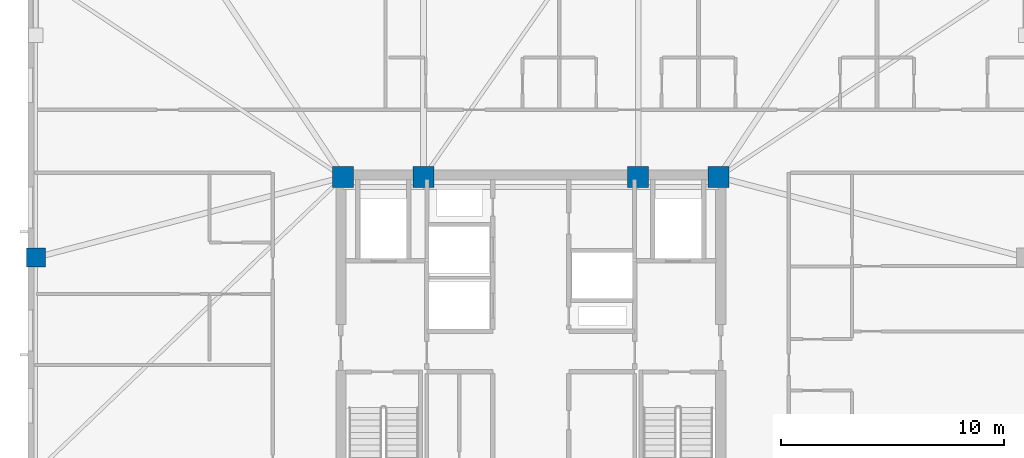
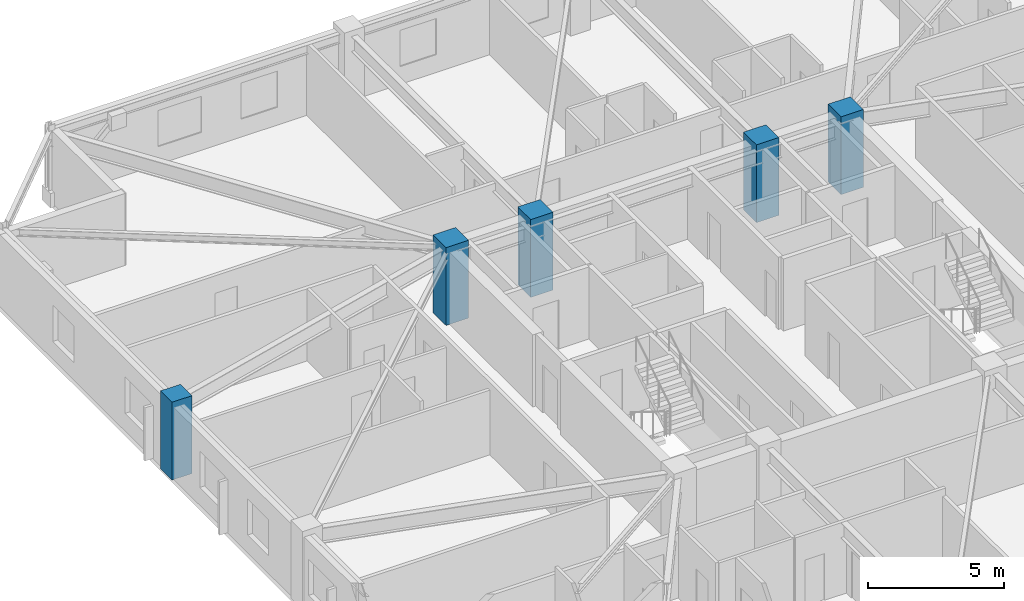
# One storey, part 2 of 17: 5 columns.
"""IFC4 building model written with IfcOpenShell, lengths in metres."""

from ifc_helpers import new_model, si_unit, direction, frame, origin, origin_2d, place, context, subcontext, project, spatial, rectangle, extrude, material, material_profile, profile_set, type_object, element, save


model = new_model("IFC4")

# Units and contexts
model_context = context("Model", 3, precision=1e-05, world=origin(), true_north=direction((0.0, 1.0)))
body_context = subcontext(model_context, "Body", "Model", "MODEL_VIEW")
ifc_project = project(units=[si_unit("LENGTHUNIT", "METRE"), si_unit("AREAUNIT", "SQUARE_METRE"), si_unit("VOLUMEUNIT", "CUBIC_METRE"), si_unit("PLANEANGLEUNIT", "RADIAN"), si_unit("MASSUNIT", "GRAM", prefix="KILO")], contexts=[model_context])

# Site, building, storey
site_placement = place(None, origin())
site = spatial("IfcSite", under=ifc_project, at=site_placement, CompositionType="ELEMENT")
building_placement = place(site_placement, origin())
building = spatial("IfcBuilding", under=site, at=building_placement, Name="Cairnveth Concourse Tower", CompositionType="ELEMENT")
storey_placement = place(building_placement, frame((0.0, 0.0, 272.5)))
storey = spatial("IfcBuildingStorey", under=building, at=storey_placement, Name="L75", CompositionType="ELEMENT", Elevation=272.5)

# Columns
ifc_material = material(Name="Concrete N65 (65 MPa)", Category="concrete")
ifc_material_profile_1 = material_profile(ifc_material, rectangle(XDim=0.949951171875, YDim=0.949951171875, at=origin_2d()), Name="RC-COL-950x950")
ifc_profile_set_1 = profile_set([ifc_material_profile_1], Name="Concrete N65 (65 MPa)")
column_type_1 = type_object("IfcColumnType", Name="CORE COLUMN 950X950", PredefinedType="COLUMN", material=ifc_profile_set_1)
for number, where, z_axis, x_axis, name in (
    (1, (43.60009765625, 47.39990234375, 0.0), (0.0, 0.0, 1.0), (1.0, 0.0, 0.0), "Column CC5 L75"),
    (2, (47.199951171875, 47.39990234375, 0.0), (0.0, 0.0, 1.0), (1.0, 0.0, 0.0), "Column CC6 L75"),
    (3, (56.800048828125, 47.39990234375, 0.0), (0.0, 0.0, 1.0), (1.0, 0.0, 0.0), "Column CC7 L75"),
    (4, (60.39990234375, 47.39990234375, 0.0), (0.0, 0.0, 1.0), (1.0, 0.0, 0.0), "Column CC8 L75"),
):
    element("IfcColumn", number, at=place(storey_placement, frame(where, z_axis=z_axis, x_axis=x_axis)), inside=storey, type_object=column_type_1, Name=name, PredefinedType="COLUMN", context=body_context, shape_type="SweptSolid", body=[
        extrude(rectangle(XDim=0.949951171875, YDim=0.949951171875, at=origin_2d()), origin(), (0.0, 0.0, 1.0), 3.5),
    ])
ifc_material_profile_2 = material_profile(ifc_material, rectangle(XDim=0.85009765625, YDim=0.85009765625, at=origin_2d()), Name="RC-COL-850x850")
ifc_profile_set_2 = profile_set([ifc_material_profile_2], Name="Concrete N65 (65 MPa)")
column_type_2 = type_object("IfcColumnType", Name="PERIMETER PIER COLUMN 850X850", PredefinedType="COLUMN", material=ifc_profile_set_2)
column_placement = place(storey_placement, frame((29.85009765625, 43.800048828125, 0.0), z_axis=(0.0, 0.0, 1.0), x_axis=(0.0, 1.0, 0.0)))
element("IfcColumn", 5, at=column_placement, inside=storey, type_object=column_type_2, Name="Column P-W2 L75", PredefinedType="COLUMN", context=body_context, shape_type="SweptSolid", body=[
    extrude(rectangle(XDim=0.85009765625, YDim=0.85009765625, at=origin_2d()), origin(), (0.0, 0.0, 1.0), 3.5),
])

save(model, "model.ifc")
